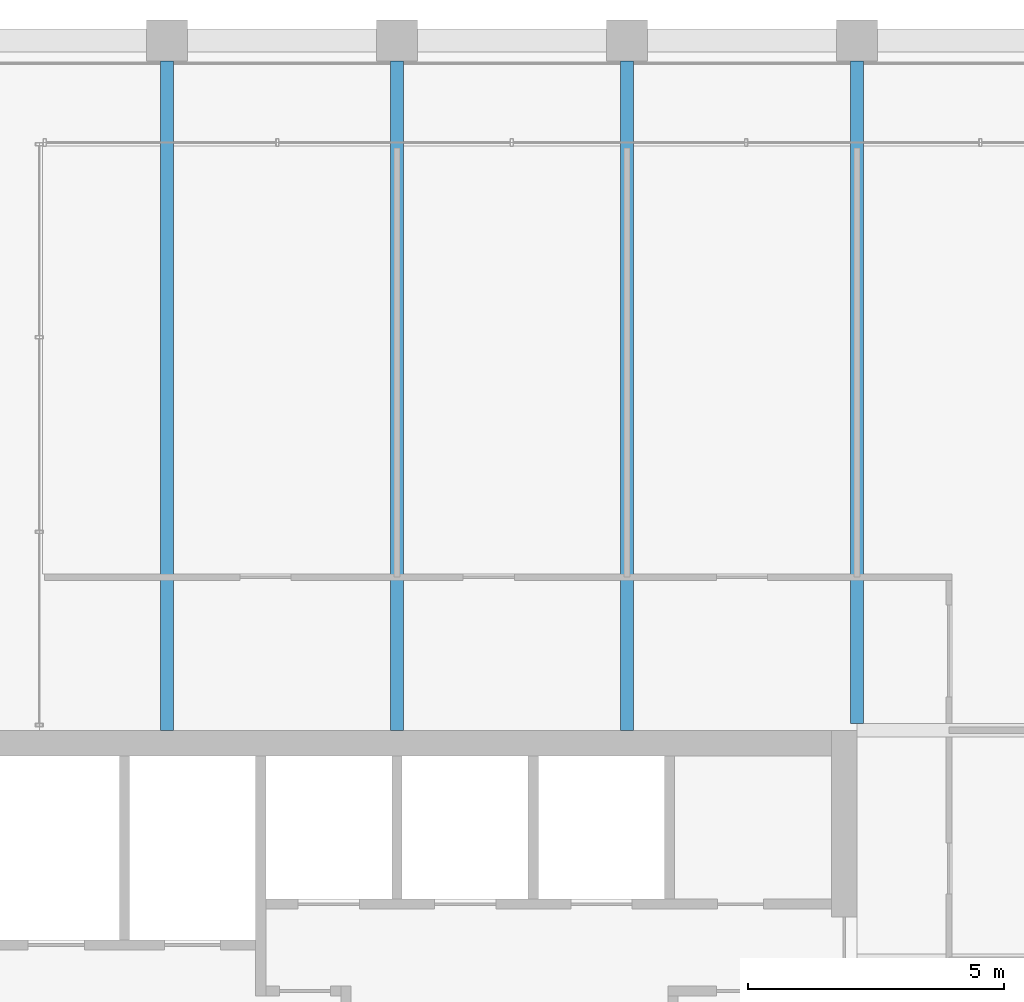
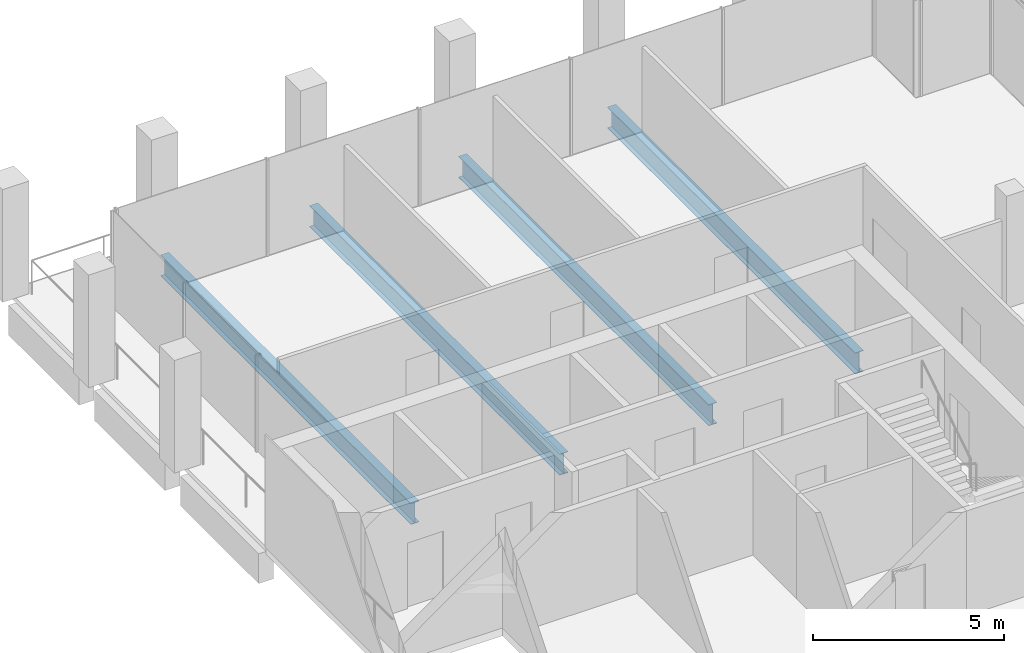
# One storey, part 22 of 41: 4 beams.
"""IFC4 building model written with IfcOpenShell, lengths in metres."""

import ifcopenshell
import ifcopenshell.guid

model = None  # the IFC model being written
_history = None  # IfcOwnerHistory: only IFC2X3 demands one
_inside = {}  # id of a spatial element -> (the spatial element, [elements in it])
_under = {}  # id of a project, library or spatial element -> (it, [spatial elements below it])
_declared = {}  # id of a project -> (the project, [libraries it declares])
_typed = {}  # id of a type object -> (the type object, [elements of that type])
_made_of = {}  # id of a material, layer set ... -> (it, [elements and type objects made of it])


def new_model(schema):
    """Start an empty IFC model of exactly this schema.

    Asked for "IFC4X3", IfcOpenShell would pick the latest addendum, in which some entities
    have other attributes; the version numbers below select the first issue.
    IFC2X3 requires an IfcOwnerHistory on every rooted entity: one is made here for all.
    """
    global model, _history
    if schema == "IFC4X3":
        model = ifcopenshell.file(schema_version=(4, 3, 0, 0))
    else:
        model = ifcopenshell.file(schema=schema)
    _inside.clear()
    _under.clear()
    _declared.clear()
    _typed.clear()
    _made_of.clear()
    _history = None
    if model.schema == "IFC2X3":
        org = make("IfcOrganization", Name="unknown")
        user = make(
            "IfcPersonAndOrganization",
            ThePerson=make("IfcPerson", FamilyName="unknown"),
            TheOrganization=org,
        )
        app = make(
            "IfcApplication",
            ApplicationDeveloper=org,
            Version="unknown",
            ApplicationFullName="unknown",
            ApplicationIdentifier="unknown",
        )
        _history = make(
            "IfcOwnerHistory",
            OwningUser=user,
            OwningApplication=app,
            ChangeAction="ADDED",
            CreationDate=0,
        )
    return model


def make(cls, **values):
    """One entity of the class cls with the attributes given. An attribute that is None is left unset."""
    return model.create_entity(
        cls, **{name: value for name, value in values.items() if value is not None}
    )


def rooted(cls, **values):
    """An entity with a GlobalId (a new one), such as an element, a storey or a relation."""
    return make(cls, GlobalId=ifcopenshell.guid.new(), OwnerHistory=_history, **values)


def si_unit(unit_type, name, prefix=None):
    """IfcSIUnit, for example si_unit("LENGTHUNIT", "METRE", prefix="MILLI")."""
    return make("IfcSIUnit", UnitType=unit_type, Prefix=prefix, Name=name)


def assignment(units):
    """IfcUnitAssignment: the units of a project."""
    return None if units is None else make("IfcUnitAssignment", Units=units)


def point(xyz):
    """IfcCartesianPoint."""
    return None if xyz is None else make("IfcCartesianPoint", Coordinates=xyz)


def direction(xyz):
    """IfcDirection."""
    return None if xyz is None else make("IfcDirection", DirectionRatios=xyz)


def frame(location, z_axis=None, x_axis=None):
    """IfcAxis2Placement3D, a coordinate frame: its origin and axes. An axis left out is left unset."""
    return make(
        "IfcAxis2Placement3D",
        Location=point(location),
        Axis=direction(z_axis),
        RefDirection=direction(x_axis),
    )


def frame_2d(location, x_axis=None):
    """IfcAxis2Placement2D, a coordinate frame in the plane: its origin and x axis."""
    return make(
        "IfcAxis2Placement2D", Location=point(location), RefDirection=direction(x_axis)
    )


def origin():
    """The frame at (0, 0, 0) with its axes left unset."""
    return frame((0.0, 0.0, 0.0))


def origin_2d():
    """The frame at (0, 0) in the plane with its x axis left unset."""
    return frame_2d((0.0, 0.0))


def place(relative_to, where):
    """IfcLocalPlacement: puts the frame where relative to a parent placement (None: the world)."""
    return make(
        "IfcLocalPlacement", PlacementRelTo=relative_to, RelativePlacement=where
    )


def context(
    kind, dimensions, precision=None, world=None, true_north=None, identifier=None
):
    """IfcGeometricRepresentationContext, for example the 3D "Model" context."""
    return make(
        "IfcGeometricRepresentationContext",
        ContextIdentifier=identifier,
        ContextType=kind,
        CoordinateSpaceDimension=dimensions,
        Precision=precision,
        WorldCoordinateSystem=world,
        TrueNorth=true_north,
    )


def subcontext(parent, identifier, kind, view, scale=None):
    """IfcGeometricRepresentationSubContext, for example "Body" below "Model"."""
    return make(
        "IfcGeometricRepresentationSubContext",
        ContextIdentifier=identifier,
        ContextType=kind,
        ParentContext=parent,
        TargetScale=scale,
        TargetView=view,
    )


def project(units=None, contexts=None):
    """IfcProject with its units and contexts."""
    return rooted(
        "IfcProject",
        Name="project",
        RepresentationContexts=contexts,
        UnitsInContext=assignment(units),
    )


def spatial(cls, under=None, at=None, **own):
    """A site, building, storey or space (cls), placed at a placement, below another one or the project."""
    s = rooted(cls, ObjectPlacement=at, **own)
    if under is not None:
        _under.setdefault(under.id(), (under, []))[1].append(s)
    return s


def profile(cls, at=None, kind="AREA", **sizes):
    """A parametric profile (cls). Its sizes go by their IFC names, for example OverallWidth=200.0."""
    return make(cls, ProfileType=kind, Position=at, **sizes)


def i_section(**sizes):
    """IfcIShapeProfileDef."""
    return profile("IfcIShapeProfileDef", **sizes)


def extrude(swept, where, along, depth):
    """IfcExtrudedAreaSolid: the profile swept, set in the frame where, extruded along a direction by depth."""
    return make(
        "IfcExtrudedAreaSolid",
        SweptArea=swept,
        Position=where,
        ExtrudedDirection=direction(along),
        Depth=depth,
    )


def shape(context_of_items, identifier, shape_type, items):
    """IfcShapeRepresentation: the items that make up one representation, for example the "Body"."""
    return make(
        "IfcShapeRepresentation",
        ContextOfItems=context_of_items,
        RepresentationIdentifier=identifier,
        RepresentationType=shape_type,
        Items=items,
    )


def material(Name=None, Category=None):
    """IfcMaterial."""
    return make("IfcMaterial", Name=Name, Category=Category)


def material_profile(
    of_material, cross_section, Name=None, Category=None, Priority=None
):
    """IfcMaterialProfile: a cross section and its material."""
    return make(
        "IfcMaterialProfile",
        Name=Name,
        Material=of_material,
        Profile=cross_section,
        Priority=Priority,
        Category=Category,
    )


def profile_set(profiles, Name=None, composite=None):
    """IfcMaterialProfileSet."""
    return make(
        "IfcMaterialProfileSet",
        Name=Name,
        MaterialProfiles=profiles,
        CompositeProfile=composite,
    )


def made_of(thing, what):
    """Note that an element or type object is made of a material, layer set ...; save() writes the relation."""
    if what is not None:
        _made_of.setdefault(what.id(), (what, []))[1].append(thing)
    return thing


def type_object(cls, material=None, **own):
    """A type object (cls), such as IfcWallType, which elements share."""
    return made_of(rooted(cls, **own), material)


def element(
    cls,
    number,
    at=None,
    inside=None,
    cuts=None,
    type_object=None,
    material=None,
    context=None,
    identifier="Body",
    shape_type=None,
    held_by="IfcProductDefinitionShape",
    body=None,
    shapes=None,
    **own,
):
    """One element of the class cls, such as IfcWall. Its Tag is "e" and its number.

    at: its placement. inside: the storey or other place that contains it. cuts: it is an
    opening in that element (IfcRelVoidsElement). A single representation is given by context,
    identifier, shape_type and body (its items); several are given by shapes. held_by: the class
    of the entity that holds the representations. save() writes the other relations.
    """
    e = rooted(cls, Tag="e%d" % number, ObjectPlacement=at, **own)
    if body is not None:
        shapes = [shape(context, identifier, shape_type, body)]
    if shapes is not None:
        e.Representation = make(held_by, Representations=shapes)
    if inside is not None:
        _inside.setdefault(inside.id(), (inside, []))[1].append(e)
    if cuts is not None:
        rooted(
            "IfcRelVoidsElement", RelatingBuildingElement=cuts, RelatedOpeningElement=e
        )
    if type_object is not None:
        _typed.setdefault(type_object.id(), (type_object, []))[1].append(e)
    return made_of(e, material)


def aggregate(whole, parts):
    """IfcRelAggregates: a whole, such as a stair, and the parts it consists of."""
    return rooted("IfcRelAggregates", RelatingObject=whole, RelatedObjects=parts)


def save(model, path):
    """Write the relations noted so far, then the file.

    IfcRelAggregates (storeys below a building ...), IfcRelContainedInSpatialStructure (elements
    in a storey), IfcRelDefinesByType, IfcRelAssociatesMaterial and IfcRelDeclares: one each for
    every whole, place, type object, material and project.
    """
    for whole, parts in _under.values():
        aggregate(whole, parts)
    for where, things in _inside.values():
        rooted(
            "IfcRelContainedInSpatialStructure",
            RelatedElements=things,
            RelatingStructure=where,
        )
    for kind, things in _typed.values():
        rooted("IfcRelDefinesByType", RelatedObjects=things, RelatingType=kind)
    for what, things in _made_of.values():
        rooted("IfcRelAssociatesMaterial", RelatedObjects=things, RelatingMaterial=what)
    for by, libraries in _declared.values():
        rooted("IfcRelDeclares", RelatingContext=by, RelatedDefinitions=libraries)
    model.write(path)


model = new_model("IFC4")

# Units and contexts
model_context = context("Model", 3, precision=1e-05, world=origin(), true_north=direction((0.0, 1.0)))
body_context = subcontext(model_context, "Body", "Model", "MODEL_VIEW")
ifc_project = project(units=[si_unit("LENGTHUNIT", "METRE"), si_unit("AREAUNIT", "SQUARE_METRE"), si_unit("VOLUMEUNIT", "CUBIC_METRE"), si_unit("PLANEANGLEUNIT", "RADIAN"), si_unit("MASSUNIT", "GRAM", prefix="KILO")], contexts=[model_context])

# Site, building, storey
site_placement = place(None, origin())
site = spatial("IfcSite", under=ifc_project, at=site_placement, CompositionType="ELEMENT")
building_placement = place(site_placement, origin())
building = spatial("IfcBuilding", under=site, at=building_placement, Name="Altepetl Exchange Towers", CompositionType="ELEMENT")
storey_placement = place(building_placement, frame((0.0, 0.0, 206.39990234375)))
storey = spatial("IfcBuildingStorey", under=building, at=storey_placement, Name="L52", CompositionType="ELEMENT", Elevation=206.39990234375)

# Beams
ifc_material = material(Name="Steel S355", Category="steel")
ifc_material_profile = material_profile(ifc_material, i_section(OverallWidth=0.2529296875, OverallDepth=0.677978515625, WebThickness=0.01171875, FlangeThickness=0.016357421875, at=origin_2d()), Name="W27X84")
ifc_profile_set = profile_set([ifc_material_profile], Name="Steel S355")
beam_type = type_object("IfcBeamType", Name="Floor beam W27X84", PredefinedType="BEAM", material=ifc_profile_set)
for number, where, z_axis, x_axis, name in (
    (1, (45.0, 58.5, -0.489013671875), (0.0, 1.0, 0.0), (-1.0, 0.0, 0.0), "bm:A:L52:000"),
    (2, (49.5, 58.5, -0.489013671875), (0.0, 1.0, 0.0), (-1.0, 0.0, 0.0), "bm:A:L52:001"),
    (3, (54.0, 58.5, -0.489013671875), (0.0, 1.0, 0.0), (-1.0, 0.0, 0.0), "bm:A:L52:002"),
):
    element("IfcBeam", number, at=place(storey_placement, frame(where, z_axis=z_axis, x_axis=x_axis)), inside=storey, type_object=beam_type, Name=name, PredefinedType="BEAM", context=body_context, shape_type="SweptSolid", body=[
        extrude(i_section(OverallWidth=0.2529296875, OverallDepth=0.677978515625, WebThickness=0.01171875, FlangeThickness=0.016357421875, at=origin_2d()), origin(), (0.0, 0.0, 1.0), 13.10009765625),
    ])
beam_placement = place(storey_placement, frame((58.5, 58.634033203125, -0.489013671875), z_axis=(0.0, 1.0, 0.0), x_axis=(-1.0, 0.0, 0.0)))
element("IfcBeam", 4, at=beam_placement, inside=storey, type_object=beam_type, Name="bm:A:L52:003", PredefinedType="BEAM", context=body_context, shape_type="SweptSolid", body=[
    extrude(i_section(OverallWidth=0.2529296875, OverallDepth=0.677978515625, WebThickness=0.01171875, FlangeThickness=0.016357421875, at=origin_2d()), origin(), (0.0, 0.0, 1.0), 12.966064453125),
])

save(model, "model.ifc")
